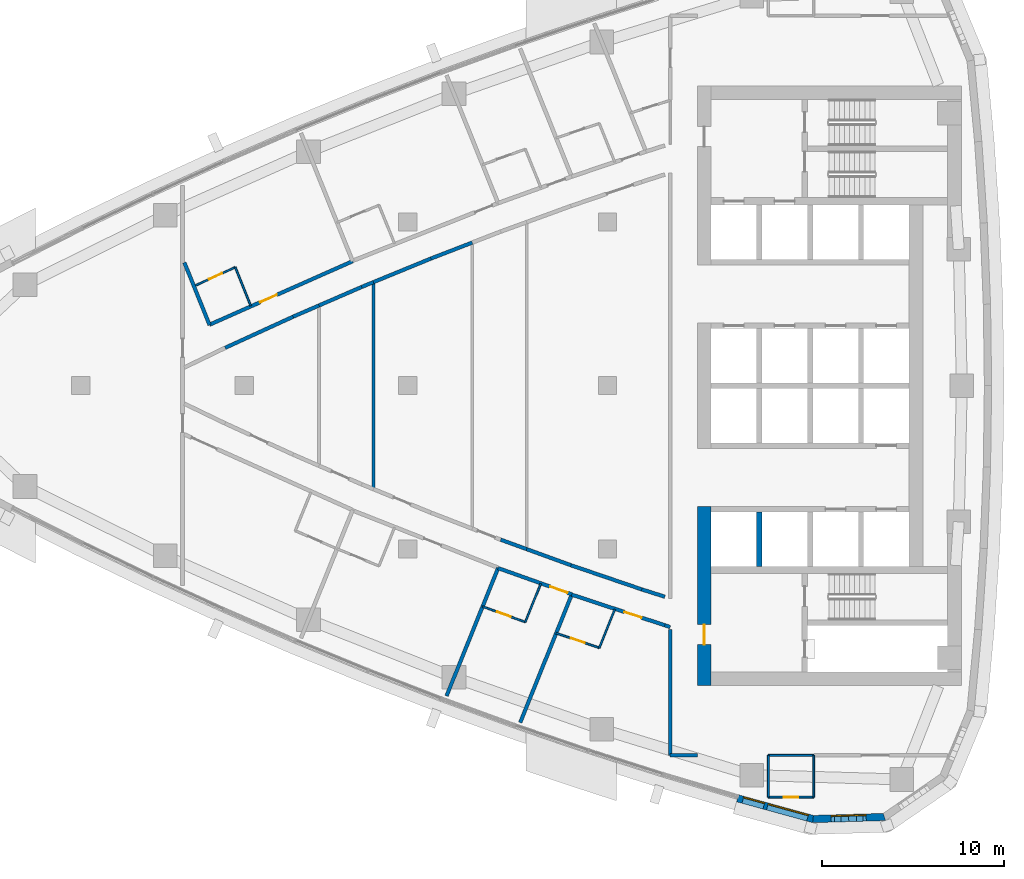
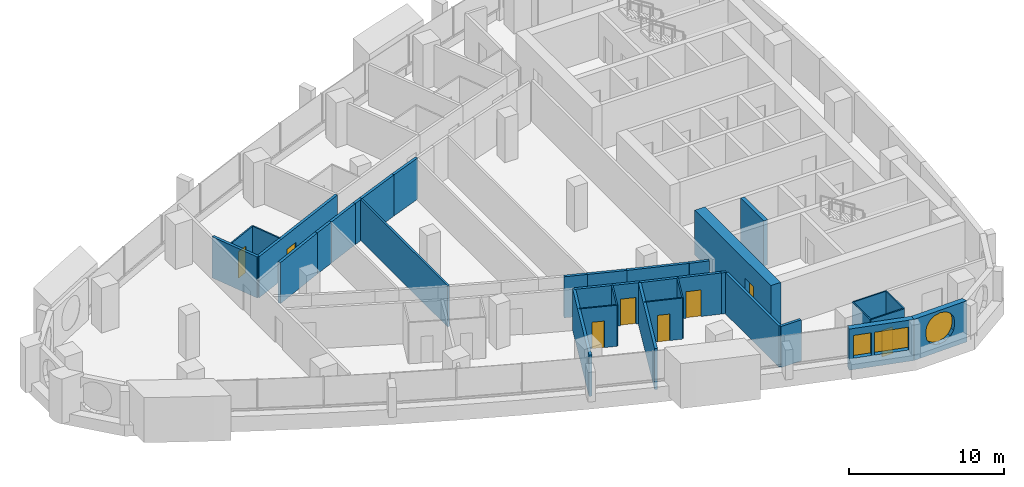
# One storey, part 10 of 17: 34 walls, 8 doors, 3 windows, 11 openings.
"""IFC4 building model written with IfcOpenShell, lengths in metres."""

from ifc_helpers import new_model, si_unit, direction, frame, frame_2d, origin, place, context, subcontext, project, spatial, polyline, rectangle, outline, extrude, material, layer, layer_set, type_object, element, fill, save


model = new_model("IFC4")

# Units and contexts
model_context = context("Model", 3, precision=1e-05, world=origin(), true_north=direction((0.0, 1.0)))
body_context = subcontext(model_context, "Body", "Model", "MODEL_VIEW")
ifc_project = project(units=[si_unit("LENGTHUNIT", "METRE"), si_unit("AREAUNIT", "SQUARE_METRE"), si_unit("VOLUMEUNIT", "CUBIC_METRE"), si_unit("PLANEANGLEUNIT", "RADIAN"), si_unit("MASSUNIT", "GRAM", prefix="KILO")], contexts=[model_context])

# Site, building, storey
site_placement = place(None, origin())
site = spatial("IfcSite", under=ifc_project, at=site_placement, CompositionType="ELEMENT")
building_placement = place(site_placement, origin())
building = spatial("IfcBuilding", under=site, at=building_placement, Name="Ostrand Prow Hotel Tower", CompositionType="ELEMENT")
storey_placement = place(building_placement, frame((0.0, 0.0, 175.5)))
storey = spatial("IfcBuildingStorey", under=building, at=storey_placement, Name="L43", CompositionType="ELEMENT", Elevation=175.5)

# Wall
ifc_material_1 = material(Name="Concrete C60/75", Category="concrete")
ifc_layer_1 = layer(ifc_material_1, 0.300048828125)
ifc_layer_set_1 = layer_set([ifc_layer_1], Name="Concrete C60/75")
wall_type_1 = type_object("IfcWallType", Name="Core wall 300 C60/75", PredefinedType="SHEAR", material=ifc_layer_set_1)
wall_1_placement = place(storey_placement, frame((53.35009765625, -9.949951171875, 0.0), z_axis=(0.0, 0.0, 1.0), x_axis=(0.0, 1.0, 0.0)))
element("IfcWall", 1, at=wall_1_placement, inside=storey, type_object=wall_type_1, Name="Core wall PW-R1-SA", PredefinedType="SHEAR", context=body_context, shape_type="SweptSolid", body=[
    extrude(rectangle(XDim=3.0, YDim=0.300048828125, at=frame_2d((1.5, 0.0))), origin(), (0.0, 0.0, 1.0), 3.550048828125),
])

# Wall, opening, door
ifc_material_2 = material(Name="Concrete C60/75", Category="concrete")
ifc_layer_2 = layer(ifc_material_2, 0.75)
ifc_layer_set_2 = layer_set([ifc_layer_2], Name="Concrete C60/75")
wall_type_2 = type_object("IfcWallType", Name="Core wall 750 C60/75", PredefinedType="SHEAR", material=ifc_layer_set_2)
wall_2_placement = place(storey_placement, frame((50.324951171875, -16.5, 0.0), z_axis=(0.0, 0.0, 1.0), x_axis=(0.0, 1.0, 0.0)))
wall_2 = element("IfcWall", 2, at=wall_2_placement, inside=storey, type_object=wall_type_2, Name="Core wall CW-W-S", PredefinedType="SHEAR", context=body_context, shape_type="SweptSolid", body=[
    extrude(rectangle(XDim=9.85009765625, YDim=0.75, at=frame_2d((4.925048828125, 0.0))), origin(), (0.0, 0.0, 1.0), 3.550048828125),
])
opening_1_placement = place(wall_2_placement, frame((2.25, 0.0, 0.0)))
opening_1 = element("IfcOpeningElement", 3, at=opening_1_placement, cuts=wall_2, Name="Opening FD1", PredefinedType="OPENING", context=body_context, shape_type="SweptSolid", body=[
    extrude(rectangle(XDim=1.10009765625, YDim=2.10009765625, at=frame_2d((0.550048828125, 1.050048828125))), frame((0.0, 0.385009765625, 0.0), z_axis=(0.0, -1.0, 0.0), x_axis=(1.0, 0.0, 0.0)), (0.0, 0.0, 1.0), 0.77001953125),
])
ifc_material_3 = material(Name="Steel fire door", Category="steel")
door_type_1 = type_object("IfcDoorType", Name="Fire door 1100 EI120", OperationType="SINGLE_SWING_RIGHT", PredefinedType="DOOR", material=ifc_material_3)
door_1_placement = place(opening_1_placement, origin())
door_1 = element("IfcDoor", 4, at=door_1_placement, inside=storey, type_object=door_type_1, Name="FIRE DOOR", OperationType="SINGLE_SWING_RIGHT", OverallHeight=2.10009765625, OverallWidth=1.10009765625, PredefinedType="DOOR", context=body_context, shape_type="SweptSolid", body=[
    extrude(rectangle(XDim=1.10009765625, YDim=2.10009765625, at=frame_2d((0.550048828125, 1.050048828125))), frame((0.0, 0.02490234375, 0.0), z_axis=(0.0, -1.0, 0.0), x_axis=(1.0, 0.0, 0.0)), (0.0, 0.0, 1.0), 0.050048828125),
])
fill(opening_1, door_1)

ifc_material_4 = material(Name="Plasterboard partition")
ifc_layer_3 = layer(ifc_material_4, 0.10009765625)
ifc_layer_set_3 = layer_set([ifc_layer_3], Name="Plasterboard partition")
wall_type_3 = type_object("IfcWallType", Name="Partition 100 bathroom wall", PredefinedType="PARTITIONING", material=ifc_layer_set_3)
wall_3_placement = place(storey_placement, frame((56.35009765625, -22.64990234375, 0.0), z_axis=(0.0, 0.0, 1.0), x_axis=(-1.0, 0.0, 0.0)))
wall_3 = element("IfcWall", 5, at=wall_3_placement, inside=storey, type_object=wall_type_3, Name="BATHROOM WALL", PredefinedType="PARTITIONING", context=body_context, shape_type="SweptSolid", body=[
    extrude(rectangle(XDim=2.5, YDim=0.10009765625, at=frame_2d((1.25, 0.0))), origin(), (0.0, 0.0, 1.0), 3.25),
])
opening_2_placement = place(wall_3_placement, frame((0.85009765625, 0.0, 0.0)))
opening_2 = element("IfcOpeningElement", 6, at=opening_2_placement, cuts=wall_3, Name="Opening D2", PredefinedType="OPENING", context=body_context, shape_type="SweptSolid", body=[
    extrude(rectangle(XDim=0.800048828125, YDim=2.10009765625, at=frame_2d((0.39990234375, 1.050048828125))), frame((0.0, 0.06005859375, 0.0), z_axis=(0.0, -1.0, 0.0), x_axis=(1.0, 0.0, 0.0)), (0.0, 0.0, 1.0), 0.1201171875),
])
ifc_material_5 = material(Name="Timber door leaf", Category="wood")
door_type_2 = type_object("IfcDoorType", Name="Bathroom door 800", OperationType="SINGLE_SWING_LEFT", PredefinedType="DOOR", material=ifc_material_5)
door_2_placement = place(opening_2_placement, origin())
door_2 = element("IfcDoor", 7, at=door_2_placement, inside=storey, type_object=door_type_2, Name="DOOR", OperationType="SINGLE_SWING_LEFT", OverallHeight=2.10009765625, OverallWidth=0.800048828125, PredefinedType="DOOR", context=body_context, shape_type="SweptSolid", body=[
    extrude(rectangle(XDim=0.800048828125, YDim=2.10009765625, at=frame_2d((0.39990234375, 1.050048828125))), frame((0.0, 0.02490234375, 0.0), z_axis=(0.0, -1.0, 0.0), x_axis=(1.0, 0.0, 0.0)), (0.0, 0.0, 1.0), 0.050048828125),
])
fill(opening_2, door_2)

# Walls
for number, where, z_axis, x_axis, name in (
    (8, (53.85009765625, -22.64990234375, 0.0), (0.0, 0.0, 1.0), (0.0, 1.0, 0.0), "BATHROOM WALL"),
    (9, (56.35009765625, -20.35009765625, 0.0), (0.0, 0.0, 1.0), (0.0, -1.0, 0.0), "BATHROOM WALL"),
):
    element("IfcWall", number, at=place(storey_placement, frame(where, z_axis=z_axis, x_axis=x_axis)), inside=storey, type_object=wall_type_3, Name=name, PredefinedType="PARTITIONING", context=body_context, shape_type="SweptSolid", body=[
        extrude(rectangle(XDim=2.2998046875, YDim=0.10009765625, at=frame_2d((1.14990234375, 0.0))), origin(), (0.0, 0.0, 1.0), 3.25),
    ])

# Wall, opening, door
wall_4_placement = place(storey_placement, frame((22.32958984375, 5.518310546875, 0.0), z_axis=(0.0, 0.0, 1.0), x_axis=(0.909209708064, 0.416338452178, 0.0)))
wall_4 = element("IfcWall", 10, at=wall_4_placement, inside=storey, type_object=wall_type_3, Name="BATHROOM WALL", PredefinedType="PARTITIONING", context=body_context, shape_type="SweptSolid", body=[
    extrude(rectangle(XDim=2.392578125, YDim=0.10009765625, at=frame_2d((1.1962890625, 0.0))), origin(), (0.0, 0.0, 1.0), 3.25),
])
opening_3_placement = place(wall_4_placement, frame((0.800048828125, 0.0, 0.0)))
opening_3 = element("IfcOpeningElement", 11, at=opening_3_placement, cuts=wall_4, Name="Opening D2", PredefinedType="OPENING", context=body_context, shape_type="SweptSolid", body=[
    extrude(rectangle(XDim=0.800048828125, YDim=2.10009765625, at=frame_2d((0.39990234375, 1.050048828125))), frame((0.0, 0.06005859375, 0.0), z_axis=(0.0, -1.0, 0.0), x_axis=(1.0, 0.0, 0.0)), (0.0, 0.0, 1.0), 0.1201171875),
])
door_3_placement = place(opening_3_placement, origin())
door_3 = element("IfcDoor", 12, at=door_3_placement, inside=storey, type_object=door_type_2, Name="DOOR", OperationType="SINGLE_SWING_LEFT", OverallHeight=2.10009765625, OverallWidth=0.800048828125, PredefinedType="DOOR", context=body_context, shape_type="SweptSolid", body=[
    extrude(rectangle(XDim=0.800048828125, YDim=2.10009765625, at=frame_2d((0.39990234375, 1.050048828125))), frame((0.0, 0.02490234375, 0.0), z_axis=(0.0, -1.0, 0.0), x_axis=(1.0, 0.0, 0.0)), (0.0, 0.0, 1.0), 0.050048828125),
])
fill(opening_3, door_3)

# Walls
wall_5_placement = place(storey_placement, frame((24.5048828125, 6.514404296875, 0.0), z_axis=(0.0, 0.0, 1.0), x_axis=(0.373919298041, -0.927461243693, 0.0)))
element("IfcWall", 13, at=wall_5_placement, inside=storey, type_object=wall_type_3, Name="BATHROOM WALL", PredefinedType="PARTITIONING", context=body_context, shape_type="SweptSolid", body=[
    extrude(rectangle(XDim=2.279296875, YDim=0.10009765625, at=frame_2d((1.1396484375, 0.0))), origin(), (0.0, 0.0, 1.0), 3.25),
])
wall_6_placement = place(storey_placement, frame((41.322021484375, -10.90283203125, 0.0), z_axis=(0.0, 0.0, 1.0), x_axis=(-0.373846436826, -0.927490615409, 0.0)))
element("IfcWall", 14, at=wall_6_placement, inside=storey, type_object=wall_type_3, Name="BATHROOM WALL", PredefinedType="PARTITIONING", context=body_context, shape_type="SweptSolid", body=[
    extrude(rectangle(XDim=2.278564453125, YDim=0.10009765625, at=frame_2d((1.13916015625, 0.0))), origin(), (0.0, 0.0, 1.0), 3.25),
])

# Wall, opening, door
wall_7_placement = place(storey_placement, frame((40.47021484375, -13.01611328125, 0.0), z_axis=(0.0, 0.0, 1.0), x_axis=(-0.939744972593, 0.341876273652, 0.0)))
wall_7 = element("IfcWall", 15, at=wall_7_placement, inside=storey, type_object=wall_type_3, Name="BATHROOM WALL", PredefinedType="PARTITIONING", context=body_context, shape_type="SweptSolid", body=[
    extrude(rectangle(XDim=2.50146484375, YDim=0.10009765625, at=frame_2d((1.250732421875, 0.0))), origin(), (0.0, 0.0, 1.0), 3.25),
])
opening_4_placement = place(wall_7_placement, frame((0.85009765625, 0.0, 0.0)))
opening_4 = element("IfcOpeningElement", 16, at=opening_4_placement, cuts=wall_7, Name="Opening D2", PredefinedType="OPENING", context=body_context, shape_type="SweptSolid", body=[
    extrude(rectangle(XDim=0.800048828125, YDim=2.10009765625, at=frame_2d((0.39990234375, 1.050048828125))), frame((0.0, 0.06005859375, 0.0), z_axis=(0.0, -1.0, 0.0), x_axis=(1.0, 0.0, 0.0)), (0.0, 0.0, 1.0), 0.1201171875),
])
door_4_placement = place(opening_4_placement, origin())
door_4 = element("IfcDoor", 17, at=door_4_placement, inside=storey, type_object=door_type_2, Name="DOOR", OperationType="SINGLE_SWING_LEFT", OverallHeight=2.10009765625, OverallWidth=0.800048828125, PredefinedType="DOOR", context=body_context, shape_type="SweptSolid", body=[
    extrude(rectangle(XDim=0.800048828125, YDim=2.10009765625, at=frame_2d((0.39990234375, 1.050048828125))), frame((0.0, 0.02490234375, 0.0), z_axis=(0.0, -1.0, 0.0), x_axis=(1.0, 0.0, 0.0)), (0.0, 0.0, 1.0), 0.050048828125),
])
fill(opening_4, door_4)

# Wall
wall_8_placement = place(storey_placement, frame((45.39453125, -12.318359375, 0.0), z_axis=(0.0, 0.0, 1.0), x_axis=(-0.373917841166, -0.927461831052, 0.0)))
element("IfcWall", 18, at=wall_8_placement, inside=storey, type_object=wall_type_3, Name="BATHROOM WALL", PredefinedType="PARTITIONING", context=body_context, shape_type="SweptSolid", body=[
    extrude(rectangle(XDim=2.28076171875, YDim=0.10009765625, at=frame_2d((1.140380859375, 0.0))), origin(), (0.0, 0.0, 1.0), 3.25),
])

# Wall, opening, door
wall_9_placement = place(storey_placement, frame((44.541748046875, -14.43359375, 0.0), z_axis=(0.0, 0.0, 1.0), x_axis=(-0.946406575113, 0.322977699822, 0.0)))
wall_9 = element("IfcWall", 19, at=wall_9_placement, inside=storey, type_object=wall_type_3, Name="BATHROOM WALL", PredefinedType="PARTITIONING", context=body_context, shape_type="SweptSolid", body=[
    extrude(rectangle(XDim=2.503662109375, YDim=0.10009765625, at=frame_2d((1.251953125, 0.0))), origin(), (0.0, 0.0, 1.0), 3.25),
])
opening_5_placement = place(wall_9_placement, frame((0.85009765625, 0.0, 0.0)))
opening_5 = element("IfcOpeningElement", 20, at=opening_5_placement, cuts=wall_9, Name="Opening D2", PredefinedType="OPENING", context=body_context, shape_type="SweptSolid", body=[
    extrude(rectangle(XDim=0.800048828125, YDim=2.10009765625, at=frame_2d((0.39990234375, 1.050048828125))), frame((0.0, 0.06005859375, 0.0), z_axis=(0.0, -1.0, 0.0), x_axis=(1.0, 0.0, 0.0)), (0.0, 0.0, 1.0), 0.1201171875),
])
door_5_placement = place(opening_5_placement, origin())
door_5 = element("IfcDoor", 21, at=door_5_placement, inside=storey, type_object=door_type_2, Name="DOOR", OperationType="SINGLE_SWING_LEFT", OverallHeight=2.10009765625, OverallWidth=0.800048828125, PredefinedType="DOOR", context=body_context, shape_type="SweptSolid", body=[
    extrude(rectangle(XDim=0.800048828125, YDim=2.10009765625, at=frame_2d((0.39990234375, 1.050048828125))), frame((0.0, 0.02490234375, 0.0), z_axis=(0.0, -1.0, 0.0), x_axis=(1.0, 0.0, 0.0)), (0.0, 0.0, 1.0), 0.050048828125),
])
fill(opening_5, door_5)

# Walls
wall_10_placement = place(storey_placement, frame((53.85009765625, -20.35498046875, 0.0), z_axis=(0.0, 0.0, 1.0), x_axis=(1.0, 0.0, 0.0)))
element("IfcWall", 22, at=wall_10_placement, inside=storey, type_object=wall_type_3, Name="BATHROOM WALL", PredefinedType="PARTITIONING", context=body_context, shape_type="SweptSolid", body=[
    extrude(rectangle(XDim=2.5, YDim=0.10009765625, at=frame_2d((1.25, 0.0))), origin(), (0.0, 0.0, 1.0), 3.25),
])
ifc_material_6 = material(Name="Plasterboard partition")
ifc_layer_4 = layer(ifc_material_6, 0.14990234375)
ifc_layer_set_4 = layer_set([ifc_layer_4], Name="Plasterboard partition")
wall_type_4 = type_object("IfcWallType", Name="Partition 150 room partition", PredefinedType="PARTITIONING", material=ifc_layer_set_4)
wall_11_placement = place(storey_placement, frame((32.11328125, -5.697265625, 0.0), z_axis=(0.0, 0.0, 1.0), x_axis=(0.0, 1.0, 0.0)))
element("IfcWall", 23, at=wall_11_placement, inside=storey, type_object=wall_type_4, Name="ROOM PARTITION", PredefinedType="PARTITIONING", context=body_context, shape_type="SweptSolid", body=[
    extrude(rectangle(XDim=11.39453125, YDim=0.14990234375, at=frame_2d((5.697265625, 0.0))), origin(), (0.0, 0.0, 1.0), 3.25),
])

# Wall, opening, door
ifc_material_7 = material(Name="Plasterboard partition")
ifc_layer_5 = layer(ifc_material_7, 0.199951171875)
ifc_layer_set_5 = layer_set([ifc_layer_5], Name="Plasterboard partition")
wall_type_5 = type_object("IfcWallType", Name="Partition 200 corridor wall", PredefinedType="PARTITIONING", material=ifc_layer_set_5)
wall_12_placement = place(storey_placement, frame((23.084716796875, 3.35107421875, 0.0), z_axis=(0.0, 0.0, 1.0), x_axis=(0.914065936171, 0.405565610392, 0.0)))
wall_12 = element("IfcWall", 24, at=wall_12_placement, inside=storey, type_object=wall_type_5, Name="CORRIDOR WALL", PredefinedType="PARTITIONING", context=body_context, shape_type="SweptSolid", body=[
    extrude(rectangle(XDim=8.62158203125, YDim=0.199951171875, at=frame_2d((4.310791015625, 0.0))), origin(), (0.0, 0.0, 1.0), 3.25),
])
opening_6_placement = place(wall_12_placement, frame((3.050048828125, 0.0, 0.0)))
opening_6 = element("IfcOpeningElement", 25, at=opening_6_placement, cuts=wall_12, Name="Opening D1R", PredefinedType="OPENING", context=body_context, shape_type="SweptSolid", body=[
    extrude(rectangle(XDim=1.0, YDim=2.10009765625, at=frame_2d((0.5, 1.050048828125))), frame((0.0, 0.10986328125, 0.0), z_axis=(0.0, -1.0, 0.0), x_axis=(1.0, 0.0, 0.0)), (0.0, 0.0, 1.0), 0.219970703125),
])
ifc_material_8 = material(Name="Timber door leaf", Category="wood")
door_type_3 = type_object("IfcDoorType", Name="Guest room door 1000 right", OperationType="SINGLE_SWING_RIGHT", PredefinedType="DOOR", material=ifc_material_8)
door_6_placement = place(opening_6_placement, origin())
door_6 = element("IfcDoor", 26, at=door_6_placement, inside=storey, type_object=door_type_3, Name="DOOR", OperationType="SINGLE_SWING_RIGHT", OverallHeight=2.10009765625, OverallWidth=1.0, PredefinedType="DOOR", context=body_context, shape_type="SweptSolid", body=[
    extrude(rectangle(XDim=1.0, YDim=2.10009765625, at=frame_2d((0.5, 1.050048828125))), frame((0.0, 0.02490234375, 0.0), z_axis=(0.0, -1.0, 0.0), x_axis=(1.0, 0.0, 0.0)), (0.0, 0.0, 1.0), 0.050048828125),
])
fill(opening_6, door_6)

wall_13_placement = place(storey_placement, frame((38.972412109375, -10.044921875, 0.0), z_axis=(0.0, 0.0, 1.0), x_axis=(0.942220252757, -0.334994022773, 0.0)))
wall_13 = element("IfcWall", 27, at=wall_13_placement, inside=storey, type_object=wall_type_5, Name="CORRIDOR WALL", PredefinedType="PARTITIONING", context=body_context, shape_type="SweptSolid", body=[
    extrude(rectangle(XDim=4.31005859375, YDim=0.199951171875, at=frame_2d((2.155029296875, 0.0))), origin(), (0.0, 0.0, 1.0), 3.25),
])
opening_7_placement = place(wall_13_placement, frame((3.050048828125, 0.0, 0.0)))
opening_7 = element("IfcOpeningElement", 28, at=opening_7_placement, cuts=wall_13, Name="Opening D1", PredefinedType="OPENING", context=body_context, shape_type="SweptSolid", body=[
    extrude(rectangle(XDim=1.0, YDim=2.10009765625, at=frame_2d((0.5, 1.050048828125))), frame((0.0, 0.10986328125, 0.0), z_axis=(0.0, -1.0, 0.0), x_axis=(1.0, 0.0, 0.0)), (0.0, 0.0, 1.0), 0.219970703125),
])
ifc_material_9 = material(Name="Timber door leaf", Category="wood")
door_type_4 = type_object("IfcDoorType", Name="Guest room door 1000", OperationType="SINGLE_SWING_LEFT", PredefinedType="DOOR", material=ifc_material_9)
door_7_placement = place(opening_7_placement, origin())
door_7 = element("IfcDoor", 29, at=door_7_placement, inside=storey, type_object=door_type_4, Name="DOOR", OperationType="SINGLE_SWING_LEFT", OverallHeight=2.10009765625, OverallWidth=1.0, PredefinedType="DOOR", context=body_context, shape_type="SweptSolid", body=[
    extrude(rectangle(XDim=1.0, YDim=2.10009765625, at=frame_2d((0.5, 1.050048828125))), frame((0.0, 0.02490234375, 0.0), z_axis=(0.0, -1.0, 0.0), x_axis=(1.0, 0.0, 0.0)), (0.0, 0.0, 1.0), 0.050048828125),
])
fill(opening_7, door_7)

# Walls
wall_14_placement = place(storey_placement, frame((23.946533203125, 2.0791015625, 0.0), z_axis=(0.0, 0.0, 1.0), x_axis=(0.909180834404, 0.416401501382, 0.0)))
element("IfcWall", 30, at=wall_14_placement, inside=storey, type_object=wall_type_5, Name="CORRIDOR WALL", PredefinedType="PARTITIONING", context=body_context, shape_type="SweptSolid", body=[
    extrude(rectangle(XDim=4.1171875, YDim=0.199951171875, at=frame_2d((2.05859375, 0.0))), origin(), (0.0, 0.0, 1.0), 3.25),
])
wall_15_placement = place(storey_placement, frame((27.689697265625, 3.79345703125, 0.0), z_axis=(0.0, 0.0, 1.0), x_axis=(0.917369942083, 0.398035663431, 0.0)))
element("IfcWall", 31, at=wall_15_placement, inside=storey, type_object=wall_type_5, Name="CORRIDOR WALL", PredefinedType="PARTITIONING", context=body_context, shape_type="SweptSolid", body=[
    extrude(rectangle(XDim=1.5517578125, YDim=0.199951171875, at=frame_2d((0.77587890625, 0.0))), origin(), (0.0, 0.0, 1.0), 3.25),
])
wall_16_placement = place(storey_placement, frame((29.11328125, 4.4111328125, 0.0), z_axis=(0.0, 0.0, 1.0), x_axis=(0.91737845263, 0.398016048231, 0.0)))
element("IfcWall", 32, at=wall_16_placement, inside=storey, type_object=wall_type_5, Name="CORRIDOR WALL", PredefinedType="PARTITIONING", context=body_context, shape_type="SweptSolid", body=[
    extrude(rectangle(XDim=2.565185546875, YDim=0.199951171875, at=frame_2d((1.28271484375, 0.0))), origin(), (0.0, 0.0, 1.0), 3.25),
])
wall_17_placement = place(storey_placement, frame((31.466552734375, 5.43212890625, 0.0), z_axis=(0.0, 0.0, 1.0), x_axis=(0.92526293873, 0.379326368992, 0.0)))
element("IfcWall", 33, at=wall_17_placement, inside=storey, type_object=wall_type_5, Name="CORRIDOR WALL", PredefinedType="PARTITIONING", context=body_context, shape_type="SweptSolid", body=[
    extrude(rectangle(XDim=0.698974609375, YDim=0.199951171875, at=frame_2d((0.349609375, 0.0))), origin(), (0.0, 0.0, 1.0), 3.25),
])
wall_18_placement = place(storey_placement, frame((35.275634765625, 6.994384765625, 0.0), z_axis=(0.0, 0.0, 1.0), x_axis=(0.932674754549, 0.36071845285, 0.0)))
element("IfcWall", 34, at=wall_18_placement, inside=storey, type_object=wall_type_5, Name="CORRIDOR WALL", PredefinedType="PARTITIONING", context=body_context, shape_type="SweptSolid", body=[
    extrude(rectangle(XDim=2.435302734375, YDim=0.199951171875, at=frame_2d((1.2177734375, 0.0))), origin(), (0.0, 0.0, 1.0), 3.25),
])
wall_19_placement = place(storey_placement, frame((32.11328125, 5.697265625, 0.0), z_axis=(0.0, 0.0, 1.0), x_axis=(0.925194984271, 0.379492083026, 0.0)))
element("IfcWall", 35, at=wall_19_placement, inside=storey, type_object=wall_type_5, Name="CORRIDOR WALL", PredefinedType="PARTITIONING", context=body_context, shape_type="SweptSolid", body=[
    extrude(rectangle(XDim=3.41796875, YDim=0.199951171875, at=frame_2d((1.708984375, 0.0))), origin(), (0.0, 0.0, 1.0), 3.25),
])
wall_20_placement = place(storey_placement, frame((40.546875, -9.000244140625, 0.0), z_axis=(0.0, 0.0, 1.0), x_axis=(-0.939741934926, 0.341884623435, 0.0)))
element("IfcWall", 36, at=wall_20_placement, inside=storey, type_object=wall_type_5, Name="CORRIDOR WALL", PredefinedType="PARTITIONING", context=body_context, shape_type="SweptSolid", body=[
    extrude(rectangle(XDim=1.523193359375, YDim=0.199951171875, at=frame_2d((0.76171875, 0.0))), origin(), (0.0, 0.0, 1.0), 3.25),
])
wall_21_placement = place(storey_placement, frame((46.880859375, -11.216552734375, 0.0), z_axis=(0.0, 0.0, 1.0), x_axis=(-0.946436071896, 0.322891253852, 0.0)))
element("IfcWall", 37, at=wall_21_placement, inside=storey, type_object=wall_type_5, Name="CORRIDOR WALL", PredefinedType="PARTITIONING", context=body_context, shape_type="SweptSolid", body=[
    extrude(rectangle(XDim=4.116943359375, YDim=0.199951171875, at=frame_2d((2.05859375, 0.0))), origin(), (0.0, 0.0, 1.0), 3.25),
])
wall_22_placement = place(storey_placement, frame((42.984375, -9.88720703125, 0.0), z_axis=(0.0, 0.0, 1.0), x_axis=(-0.939719202565, 0.341947101655, 0.0)))
element("IfcWall", 38, at=wall_22_placement, inside=storey, type_object=wall_type_5, Name="CORRIDOR WALL", PredefinedType="PARTITIONING", context=body_context, shape_type="SweptSolid", body=[
    extrude(rectangle(XDim=2.59375, YDim=0.199951171875, at=frame_2d((1.296875, 0.0))), origin(), (0.0, 0.0, 1.0), 3.25),
])

# Wall, opening, door
wall_23_placement = place(storey_placement, frame((43.02587890625, -11.50732421875, 0.0), z_axis=(0.0, 0.0, 1.0), x_axis=(0.949951949432, -0.312396052744, 0.0)))
wall_23 = element("IfcWall", 39, at=wall_23_placement, inside=storey, type_object=wall_type_5, Name="CORRIDOR WALL", PredefinedType="PARTITIONING", context=body_context, shape_type="SweptSolid", body=[
    extrude(rectangle(XDim=5.39404296875, YDim=0.199951171875, at=frame_2d((2.697021484375, 0.0))), origin(), (0.0, 0.0, 1.0), 3.25),
])
opening_8_placement = place(wall_23_placement, frame((3.050048828125, 0.0, 0.0)))
opening_8 = element("IfcOpeningElement", 40, at=opening_8_placement, cuts=wall_23, Name="Opening D1", PredefinedType="OPENING", context=body_context, shape_type="SweptSolid", body=[
    extrude(rectangle(XDim=1.0, YDim=2.10009765625, at=frame_2d((0.5, 1.050048828125))), frame((0.0, 0.10986328125, 0.0), z_axis=(0.0, -1.0, 0.0), x_axis=(1.0, 0.0, 0.0)), (0.0, 0.0, 1.0), 0.219970703125),
])
door_8_placement = place(opening_8_placement, origin())
door_8 = element("IfcDoor", 41, at=door_8_placement, inside=storey, type_object=door_type_4, Name="DOOR", OperationType="SINGLE_SWING_LEFT", OverallHeight=2.10009765625, OverallWidth=1.0, PredefinedType="DOOR", context=body_context, shape_type="SweptSolid", body=[
    extrude(rectangle(XDim=1.0, YDim=2.10009765625, at=frame_2d((0.5, 1.050048828125))), frame((0.0, 0.02490234375, 0.0), z_axis=(0.0, -1.0, 0.0), x_axis=(1.0, 0.0, 0.0)), (0.0, 0.0, 1.0), 0.050048828125),
])
fill(opening_8, door_8)

# Walls
wall_24_placement = place(storey_placement, frame((48.14990234375, -11.62109375, 0.0), z_axis=(0.0, 0.0, 1.0), x_axis=(-0.952761948983, 0.303718074157, 0.0)))
element("IfcWall", 42, at=wall_24_placement, inside=storey, type_object=wall_type_5, Name="CORRIDOR WALL", PredefinedType="PARTITIONING", context=body_context, shape_type="SweptSolid", body=[
    extrude(rectangle(XDim=1.33203125, YDim=0.199951171875, at=frame_2d((0.666015625, 0.0))), origin(), (0.0, 0.0, 1.0), 3.25),
])
wall_25_placement = place(storey_placement, frame((48.14990234375, -13.1923828125, 0.0), z_axis=(0.0, 0.0, 1.0), x_axis=(0.944623214561, -0.328156947987, 0.0)))
element("IfcWall", 43, at=wall_25_placement, inside=storey, type_object=wall_type_5, Name="CORRIDOR WALL", PredefinedType="PARTITIONING", context=body_context, shape_type="SweptSolid", body=[
    extrude(rectangle(XDim=0.3125, YDim=0.199951171875, at=frame_2d((0.15625, 0.0))), origin(), (0.0, 0.0, 1.0), 3.25),
])
wall_26_placement = place(storey_placement, frame((48.445068359375, -13.414794921875, 0.0), z_axis=(0.0, 0.0, 1.0), x_axis=(3.5195157e-05, -0.999999999381, 0.0)))
element("IfcWall", 44, at=wall_26_placement, inside=storey, type_object=wall_type_5, Name="CORRIDOR WALL", PredefinedType="PARTITIONING", context=body_context, shape_type="SweptSolid", body=[
    extrude(rectangle(XDim=6.936767578125, YDim=0.199951171875, at=frame_2d((3.46826171875, 0.0))), origin(), (0.0, 0.0, 1.0), 3.25),
])
wall_27_placement = place(storey_placement, frame((48.4453125, -20.3515625, 0.0), z_axis=(0.0, 0.0, 1.0), x_axis=(0.999997403051, -0.002279010849, 0.0)))
element("IfcWall", 45, at=wall_27_placement, inside=storey, type_object=wall_type_5, Name="CORRIDOR WALL", PredefinedType="PARTITIONING", context=body_context, shape_type="SweptSolid", body=[
    extrude(rectangle(XDim=1.499755859375, YDim=0.199951171875, at=frame_2d((0.75, 0.0))), origin(), (0.0, 0.0, 1.0), 3.25),
])
ifc_material_10 = material(Name="Plasterboard partition")
ifc_layer_6 = layer(ifc_material_10, 0.199951171875)
ifc_layer_set_6 = layer_set([ifc_layer_6], Name="Plasterboard partition")
wall_type_6 = type_object("IfcWallType", Name="Partition 200 key partition", PredefinedType="PARTITIONING", material=ifc_layer_set_6)
wall_28_placement = place(storey_placement, frame((23.09228515625, 3.33251953125, 0.0), z_axis=(0.0, 0.0, 1.0), x_axis=(-0.373883495288, 0.927475677283, 0.0)))
element("IfcWall", 46, at=wall_28_placement, inside=storey, type_object=wall_type_6, Name="KEY PARTITION", PredefinedType="PARTITIONING", context=body_context, shape_type="SweptSolid", body=[
    extrude(rectangle(XDim=3.712890625, YDim=0.199951171875, at=frame_2d((1.8564453125, 0.0))), origin(), (0.0, 0.0, 1.0), 3.25),
])
wall_29_placement = place(storey_placement, frame((36.13671875, -17.079345703125, 0.0), z_axis=(0.0, 0.0, 1.0), x_axis=(0.373863662938, 0.927483671843, 0.0)))
element("IfcWall", 47, at=wall_29_placement, inside=storey, type_object=wall_type_6, Name="KEY PARTITION", PredefinedType="PARTITIONING", context=body_context, shape_type="SweptSolid", body=[
    extrude(rectangle(XDim=7.6044921875, YDim=0.199951171875, at=frame_2d((3.80224609375, 0.0))), origin(), (0.0, 0.0, 1.0), 3.25),
])
wall_30_placement = place(storey_placement, frame((40.187744140625, -18.548095703125, 0.0), z_axis=(0.0, 0.0, 1.0), x_axis=(0.373877998371, 0.927477893178, 0.0)))
element("IfcWall", 48, at=wall_30_placement, inside=storey, type_object=wall_type_6, Name="KEY PARTITION", PredefinedType="PARTITIONING", context=body_context, shape_type="SweptSolid", body=[
    extrude(rectangle(XDim=7.611328125, YDim=0.199951171875, at=frame_2d((3.8056640625, 0.0))), origin(), (0.0, 0.0, 1.0), 3.25),
])

# Wall, openings, windows
ifc_material_11 = material(Name="Precast concrete C40/50", Category="concrete")
ifc_layer_7 = layer(ifc_material_11, 0.39990234375)
ifc_layer_set_7 = layer_set([ifc_layer_7], Name="Precast concrete C40/50")
wall_type_7 = type_object("IfcWallType", Name="Stone-faced precast wall 400 mm", PredefinedType="NOTDEFINED", material=ifc_layer_set_7)
wall_31_placement = place(storey_placement, frame((52.15478515625, -22.7158203125, 0.0), z_axis=(0.0, 0.0, 1.0), x_axis=(0.964205755089, -0.265155165617, 0.0)))
wall_31 = element("IfcWall", 49, at=wall_31_placement, inside=storey, type_object=wall_type_7, Name="Stone-faced wall back 1", PredefinedType="NOTDEFINED", context=body_context, shape_type="SweptSolid", body=[
    extrude(outline(polyline([(0.0, -0.199951171875), (4.3369140625, -0.199951171875), (4.27734375, 0.199951171875), (0.0, 0.199951171875), (0.0, -0.199951171875)])), origin(), (0.0, 0.0, 1.0), 3.25),
])
opening_9_placement = place(wall_31_placement, frame((0.303466796875, 0.0, 0.89990234375)))
opening_9 = element("IfcOpeningElement", 50, at=opening_9_placement, cuts=wall_31, Name="Opening WS4", PredefinedType="OPENING", context=body_context, shape_type="SweptSolid", body=[
    extrude(rectangle(XDim=1.199951171875, YDim=1.800048828125, at=frame_2d((0.60009765625, 0.89990234375))), frame((0.0, 0.2099609375, 0.0), z_axis=(0.0, -1.0, 0.0), x_axis=(1.0, 0.0, 0.0)), (0.0, 0.0, 1.0), 0.419921875),
])
opening_10_placement = place(wall_31_placement, frame((1.70361328125, 0.0, 0.89990234375)))
opening_10 = element("IfcOpeningElement", 51, at=opening_10_placement, cuts=wall_31, Name="Opening WS5-23", PredefinedType="OPENING", context=body_context, shape_type="SweptSolid", body=[
    extrude(rectangle(XDim=2.300048828125, YDim=1.800048828125, at=frame_2d((1.14990234375, 0.89990234375))), frame((0.0, 0.2099609375, 0.0), z_axis=(0.0, -1.0, 0.0), x_axis=(1.0, 0.0, 0.0)), (0.0, 0.0, 1.0), 0.419921875),
])
ifc_material_12 = material(Name="Insulated glass in bronze frame", Category="glass")
window_type_1 = type_object("IfcWindowType", Name="Fixed strip window 2300x1800", PartitioningType="SINGLE_PANEL", PredefinedType="WINDOW", material=ifc_material_12)
window_1_placement = place(opening_10_placement, origin())
window_1 = element("IfcWindow", 52, at=window_1_placement, inside=storey, type_object=window_type_1, Name="Window back 1.2", OverallHeight=1.800048828125, OverallWidth=2.300048828125, PartitioningType="SINGLE_PANEL", PredefinedType="WINDOW", context=body_context, shape_type="SweptSolid", body=[
    extrude(rectangle(XDim=2.300048828125, YDim=1.800048828125, at=frame_2d((1.14990234375, 0.89990234375))), frame((0.0, 0.169921875, 0.0), z_axis=(0.0, -1.0, 0.0), x_axis=(1.0, 0.0, 0.0)), (0.0, 0.0, 1.0), 0.06005859375),
])
fill(opening_10, window_1)
ifc_material_13 = material(Name="Insulated glass in bronze frame", Category="glass")
window_type_2 = type_object("IfcWindowType", Name="Operable strip panel 1200x1800", PartitioningType="SINGLE_PANEL", PredefinedType="WINDOW", material=ifc_material_13)
window_2_placement = place(opening_9_placement, origin())
window_2 = element("IfcWindow", 53, at=window_2_placement, inside=storey, type_object=window_type_2, Name="Window back 1.1", OverallHeight=1.800048828125, OverallWidth=1.199951171875, PartitioningType="SINGLE_PANEL", PredefinedType="WINDOW", context=body_context, shape_type="SweptSolid", body=[
    extrude(rectangle(XDim=1.199951171875, YDim=1.800048828125, at=frame_2d((0.60009765625, 0.89990234375))), frame((0.0, 0.169921875, 0.0), z_axis=(0.0, -1.0, 0.0), x_axis=(1.0, 0.0, 0.0)), (0.0, 0.0, 1.0), 0.06005859375),
])
fill(opening_9, window_2)

# Wall, opening, window
wall_32_placement = place(storey_placement, frame((56.307861328125, -23.85791015625, 0.0), z_axis=(0.0, 0.0, 1.0), x_axis=(0.999587920197, 0.028705222472, 0.0)))
wall_32 = element("IfcWall", 54, at=wall_32_placement, inside=storey, type_object=wall_type_7, Name="Stone-faced wall back 2", PredefinedType="NOTDEFINED", context=body_context, shape_type="SweptSolid", body=[
    extrude(outline(polyline([(-0.02978515625, -0.199951171875), (3.988525390625, -0.199951171875), (3.870361328125, 0.199951171875), (0.02978515625, 0.199951171875), (-0.02978515625, -0.199951171875)])), origin(), (0.0, 0.0, 1.0), 3.25),
])
opening_11_placement = place(wall_32_placement, frame((0.864501953125, 0.0, 0.60009765625)))
opening_11 = element("IfcOpeningElement", 55, at=opening_11_placement, cuts=wall_32, Name="Opening WP1", PredefinedType="OPENING", context=body_context, shape_type="SweptSolid", body=[
    extrude(outline(polyline([(0.0, 1.35009765625), (0.083740234375, 1.77099609375), (0.322265625, 2.127685546875), (0.678955078125, 2.3662109375), (1.10009765625, 2.449951171875), (1.52099609375, 2.3662109375), (1.877685546875, 2.127685546875), (2.1162109375, 1.77099609375), (2.199951171875, 1.35009765625), (2.199951171875, 1.10009765625), (2.1162109375, 0.678955078125), (1.877685546875, 0.322265625), (1.52099609375, 0.083740234375), (1.10009765625, 0.0), (0.678955078125, 0.083740234375), (0.322265625, 0.322265625), (0.083740234375, 0.678955078125), (0.0, 1.099853515625), (0.0, 1.35009765625)])), frame((0.0, 0.2099609375, 0.0), z_axis=(0.0, -1.0, 0.0), x_axis=(1.0, 0.0, 0.0)), (0.0, 0.0, 1.0), 0.419921875),
])
ifc_material_14 = material(Name="Insulated glass in bronze frame", Category="glass")
window_type_3 = type_object("IfcWindowType", Name="Round-ended prow window 2200x2450", PartitioningType="SINGLE_PANEL", PredefinedType="WINDOW", material=ifc_material_14)
window_3_placement = place(opening_11_placement, origin())
window_3 = element("IfcWindow", 56, at=window_3_placement, inside=storey, type_object=window_type_3, Name="Window back 2.1", OverallHeight=2.449951171875, OverallWidth=2.199951171875, PartitioningType="SINGLE_PANEL", PredefinedType="WINDOW", context=body_context, shape_type="SweptSolid", body=[
    extrude(outline(polyline([(0.0, 1.35009765625), (0.083740234375, 1.77099609375), (0.322265625, 2.127685546875), (0.678955078125, 2.3662109375), (1.10009765625, 2.449951171875), (1.52099609375, 2.3662109375), (1.877685546875, 2.127685546875), (2.1162109375, 1.77099609375), (2.199951171875, 1.35009765625), (2.199951171875, 1.10009765625), (2.1162109375, 0.678955078125), (1.877685546875, 0.322265625), (1.52099609375, 0.083740234375), (1.10009765625, 0.0), (0.678955078125, 0.083740234375), (0.322265625, 0.322265625), (0.083740234375, 0.678955078125), (0.0, 1.099853515625), (0.0, 1.35009765625)])), frame((0.0, 0.169921875, 0.0), z_axis=(0.0, -1.0, 0.0), x_axis=(1.0, 0.0, 0.0)), (0.0, 0.0, 1.0), 0.06005859375),
])
fill(opening_11, window_3)

save(model, "model.ifc")
